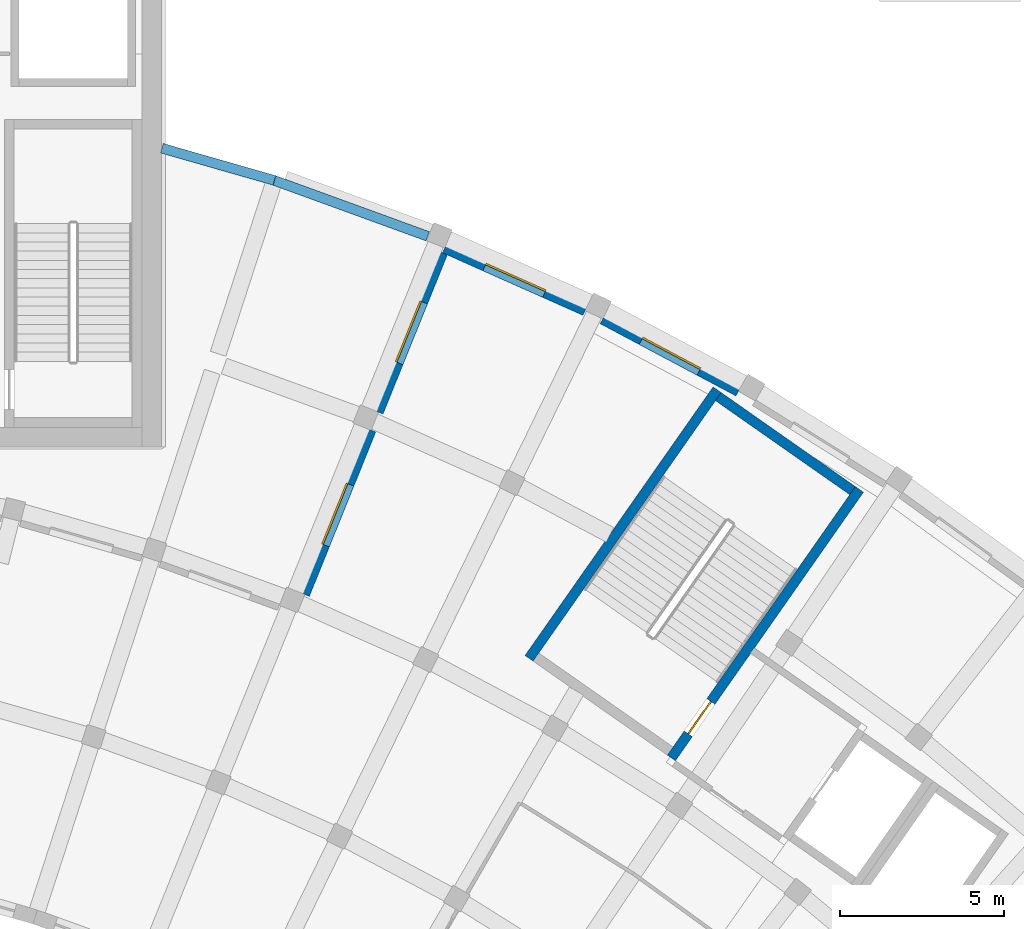
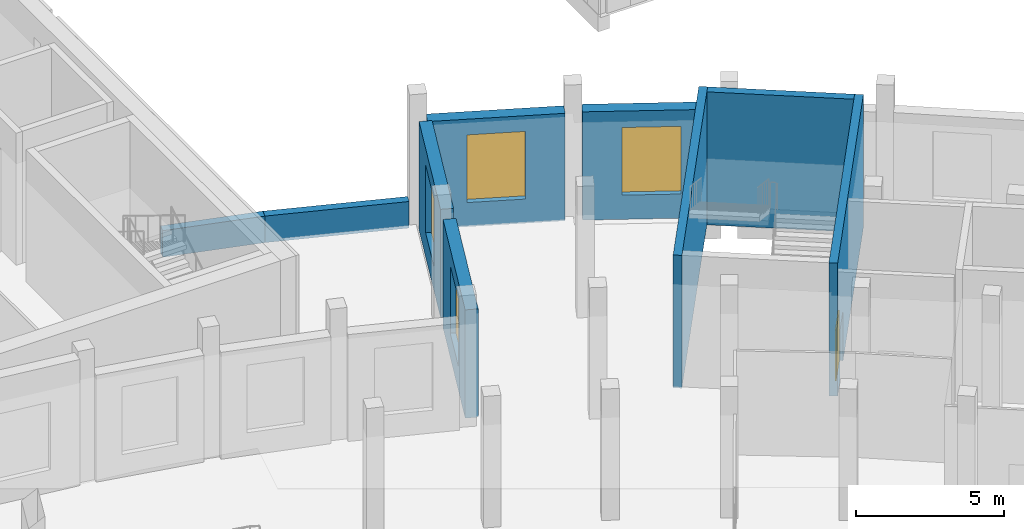
# One storey, part 72 of 132: 9 walls, 4 windows, 1 door, 5 openings.
"""IFC4 building model written with IfcOpenShell, lengths in metres."""

from ifc_helpers import new_model, si_unit, direction, frame, frame_2d, origin, place, context, subcontext, project, spatial, rectangle, extrude, material, layer, layer_set, type_object, element, fill, save


model = new_model("IFC4")

# Units and contexts
model_context = context("Model", 3, precision=1e-05, world=origin(), true_north=direction((0.0, 1.0)))
body_context = subcontext(model_context, "Body", "Model", "MODEL_VIEW")
ifc_project = project(units=[si_unit("LENGTHUNIT", "METRE"), si_unit("AREAUNIT", "SQUARE_METRE"), si_unit("VOLUMEUNIT", "CUBIC_METRE"), si_unit("PLANEANGLEUNIT", "RADIAN"), si_unit("MASSUNIT", "GRAM", prefix="KILO")], contexts=[model_context])

# Site, building, storey
site_placement = place(None, origin())
site = spatial("IfcSite", under=ifc_project, at=site_placement, CompositionType="ELEMENT")
building_placement = place(site_placement, origin())
building = spatial("IfcBuilding", under=site, at=building_placement, Name="Lunette Opera House", CompositionType="ELEMENT")
storey_placement = place(building_placement, frame((0.0, 0.0, 17.0)))
storey = spatial("IfcBuildingStorey", under=building, at=storey_placement, Name="L03", CompositionType="ELEMENT", Elevation=17.0)

# Wall, opening, window
ifc_material_1 = material(Name="Clinker brick", Category="masonry")
ifc_layer_1 = layer(ifc_material_1, 0.449951171875)
ifc_layer_set_1 = layer_set([ifc_layer_1], Name="Clinker brick")
wall_type_1 = type_object("IfcWallType", Name="ARM RAIN SCREEN WALL 450", PredefinedType="SOLIDWALL", material=ifc_layer_set_1)
wall_1_placement = place(storey_placement, frame((124.659912109375, 70.135009765625, 0.0), z_axis=(0.0, 0.0, 1.0), x_axis=(0.913581686159, -0.406655262741, 0.0)))
wall_1 = element("IfcWall", 1, at=wall_1_placement, inside=storey, type_object=wall_type_1, Name="Arm Rain Screen Wall 450 BW-CE02 L03", PredefinedType="SOLIDWALL", context=body_context, shape_type="SweptSolid", body=[
    extrude(rectangle(XDim=4.689453125, YDim=0.449951171875, at=frame_2d((2.3447265625, 0.0))), origin(), (0.0, 0.0, 1.0), 4.449951171875),
])
opening_1_placement = place(wall_1_placement, frame((1.344970703125, 0.0, 1.0)))
opening_1 = element("IfcOpeningElement", 2, at=opening_1_placement, cuts=wall_1, Name="Opening FC-N2148", PredefinedType="OPENING", context=body_context, shape_type="SweptSolid", body=[
    extrude(rectangle(XDim=2.0, YDim=2.800048828125, at=frame_2d((1.0, 1.39990234375))), frame((0.0, 0.237060546875, 0.0), z_axis=(0.0, -1.0, 0.0), x_axis=(1.0, 0.0, 0.0)), (0.0, 0.0, 1.0), 0.473876953125),
])
ifc_material_2 = material(Name="Aluminium", Category="aluminium")
window_type = type_object("IfcWindowType", Name="ARM WINDOW 2000 X 2800", PartitioningType="DOUBLE_PANEL_VERTICAL", PredefinedType="WINDOW", material=ifc_material_2)
window_1_placement = place(opening_1_placement, origin())
window_1 = element("IfcWindow", 3, at=window_1_placement, inside=storey, type_object=window_type, Name="Arm Window 2000 X 2800 BW-CE02 L03", OverallHeight=2.800048828125, OverallWidth=2.0, PartitioningType="DOUBLE_PANEL_VERTICAL", PredefinedType="WINDOW", context=body_context, shape_type="SweptSolid", body=[
    extrude(rectangle(XDim=2.0, YDim=2.800048828125, at=frame_2d((1.0, 1.39990234375))), frame((0.0, 0.030029296875, 0.0), z_axis=(0.0, -1.0, 0.0), x_axis=(1.0, 0.0, 0.0)), (0.0, 0.0, 1.0), 0.06005859375),
])
fill(opening_1, window_1)

wall_2_placement = place(storey_placement, frame((129.48291015625, 67.965087890625, 0.0), z_axis=(0.0, 0.0, 1.0), x_axis=(0.882963316504, -0.469441989716, 0.0)))
wall_2 = element("IfcWall", 4, at=wall_2_placement, inside=storey, type_object=wall_type_1, Name="Arm Rain Screen Wall 450 BW-CE03 L03", PredefinedType="SOLIDWALL", context=body_context, shape_type="SweptSolid", body=[
    extrude(rectangle(XDim=4.68896484375, YDim=0.449951171875, at=frame_2d((2.344482421875, 0.0))), origin(), (0.0, 0.0, 1.0), 4.47998046875),
])
opening_2_placement = place(wall_2_placement, frame((1.344970703125, 0.0, 1.0)))
opening_2 = element("IfcOpeningElement", 5, at=opening_2_placement, cuts=wall_2, Name="Opening FC-N2152", PredefinedType="OPENING", context=body_context, shape_type="SweptSolid", body=[
    extrude(rectangle(XDim=2.0, YDim=2.800048828125, at=frame_2d((1.0, 1.39990234375))), frame((0.0, 0.237060546875, 0.0), z_axis=(0.0, -1.0, 0.0), x_axis=(1.0, 0.0, 0.0)), (0.0, 0.0, 1.0), 0.473876953125),
])
window_2_placement = place(opening_2_placement, origin())
window_2 = element("IfcWindow", 6, at=window_2_placement, inside=storey, type_object=window_type, Name="Arm Window 2000 X 2800 BW-CE03 L03", OverallHeight=2.800048828125, OverallWidth=2.0, PartitioningType="DOUBLE_PANEL_VERTICAL", PredefinedType="WINDOW", context=body_context, shape_type="SweptSolid", body=[
    extrude(rectangle(XDim=2.0, YDim=2.800048828125, at=frame_2d((1.0, 1.39990234375))), frame((0.0, 0.030029296875, 0.0), z_axis=(0.0, -1.0, 0.0), x_axis=(1.0, 0.0, 0.0)), (0.0, 0.0, 1.0), 0.06005859375),
])
fill(opening_2, window_2)

ifc_material_3 = material(Name="Clinker brick", Category="masonry")
ifc_layer_2 = layer(ifc_material_3, 0.449951171875)
ifc_layer_set_2 = layer_set([ifc_layer_2], Name="Clinker brick")
wall_type_2 = type_object("IfcWallType", Name="ARM REAR WALL 450", PredefinedType="SOLIDWALL", material=ifc_layer_set_2)
wall_3_placement = place(storey_placement, frame((124.507080078125, 69.95703125, 0.0), z_axis=(0.0, 0.0, 1.0), x_axis=(-0.374688667466, -0.927150690272, 0.0)))
wall_3 = element("IfcWall", 7, at=wall_3_placement, inside=storey, type_object=wall_type_2, Name="Arm Rear Wall 450 F04 L03", PredefinedType="SOLIDWALL", context=body_context, shape_type="SweptSolid", body=[
    extrude(rectangle(XDim=5.241943359375, YDim=0.449951171875, at=frame_2d((2.62109375, 0.0))), origin(), (0.0, 0.0, 1.0), 4.47998046875),
])
opening_3_placement = place(wall_3_placement, frame((1.62109375, 0.0, 1.0)))
opening_3 = element("IfcOpeningElement", 8, at=opening_3_placement, cuts=wall_3, Name="Opening FC-N2180", PredefinedType="OPENING", context=body_context, shape_type="SweptSolid", body=[
    extrude(rectangle(XDim=2.0, YDim=2.800048828125, at=frame_2d((1.0, 1.39990234375))), frame((0.0, 0.237060546875, 0.0), z_axis=(0.0, -1.0, 0.0), x_axis=(1.0, 0.0, 0.0)), (0.0, 0.0, 1.0), 0.473876953125),
])
window_3_placement = place(opening_3_placement, origin())
window_3 = element("IfcWindow", 9, at=window_3_placement, inside=storey, type_object=window_type, Name="Arm Window 2000 X 2800 F04 L03", OverallHeight=2.800048828125, OverallWidth=2.0, PartitioningType="DOUBLE_PANEL_VERTICAL", PredefinedType="WINDOW", context=body_context, shape_type="SweptSolid", body=[
    extrude(rectangle(XDim=2.0, YDim=2.800048828125, at=frame_2d((1.0, 1.39990234375))), frame((0.0, 0.030029296875, 0.0), z_axis=(0.0, -1.0, 0.0), x_axis=(1.0, 0.0, 0.0)), (0.0, 0.0, 1.0), 0.06005859375),
])
fill(opening_3, window_3)

wall_4_placement = place(storey_placement, frame((122.320068359375, 64.544921875, 0.0), z_axis=(0.0, 0.0, 1.0), x_axis=(-0.374542969265, -0.927209557853, 0.0)))
wall_4 = element("IfcWall", 10, at=wall_4_placement, inside=storey, type_object=wall_type_2, Name="Arm Rear Wall 450 F05 L03", PredefinedType="SOLIDWALL", context=body_context, shape_type="SweptSolid", body=[
    extrude(rectangle(XDim=5.404296875, YDim=0.449951171875, at=frame_2d((2.7021484375, 0.0))), origin(), (0.0, 0.0, 1.0), 4.47998046875),
])
opening_4_placement = place(wall_4_placement, frame((1.779052734375, 0.0, 1.0)))
opening_4 = element("IfcOpeningElement", 11, at=opening_4_placement, cuts=wall_4, Name="Opening FC-N2181", PredefinedType="OPENING", context=body_context, shape_type="SweptSolid", body=[
    extrude(rectangle(XDim=2.0, YDim=2.800048828125, at=frame_2d((1.0, 1.39990234375))), frame((0.0, 0.237060546875, 0.0), z_axis=(0.0, -1.0, 0.0), x_axis=(1.0, 0.0, 0.0)), (0.0, 0.0, 1.0), 0.473876953125),
])
window_4_placement = place(opening_4_placement, origin())
window_4 = element("IfcWindow", 12, at=window_4_placement, inside=storey, type_object=window_type, Name="Arm Window 2000 X 2800 F05 L03", OverallHeight=2.800048828125, OverallWidth=2.0, PartitioningType="DOUBLE_PANEL_VERTICAL", PredefinedType="WINDOW", context=body_context, shape_type="SweptSolid", body=[
    extrude(rectangle(XDim=2.0, YDim=2.800048828125, at=frame_2d((1.0, 1.39990234375))), frame((0.0, 0.030029296875, 0.0), z_axis=(0.0, -1.0, 0.0), x_axis=(1.0, 0.0, 0.0)), (0.0, 0.0, 1.0), 0.06005859375),
])
fill(opening_4, window_4)

# Wall, opening, door
ifc_material_4 = material(Name="Concrete C35/45", Category="concrete")
ifc_layer_3 = layer(ifc_material_4, 0.300048828125)
ifc_layer_set_3 = layer_set([ifc_layer_3], Name="Concrete C35/45")
wall_type_3 = type_object("IfcWallType", Name="RC STAIR ENCLOSURE WALL 300", PredefinedType="SOLIDWALL", material=ifc_layer_set_3)
wall_5_placement = place(storey_placement, frame((131.550048828125, 54.51904296875, 0.0), z_axis=(0.0, 0.0, 1.0), x_axis=(0.573563925118, 0.819160804606, 0.0)))
wall_5 = element("IfcWall", 13, at=wall_5_placement, inside=storey, type_object=wall_type_3, Name="ST3 enclosure wall 2", PredefinedType="SOLIDWALL", context=body_context, shape_type="SweptSolid", body=[
    extrude(rectangle(XDim=10.000244140625, YDim=0.300048828125, at=frame_2d((5.0, 0.0))), origin(), (0.0, 0.0, 1.0), 5.5),
])
opening_5_placement = place(wall_5_placement, frame((0.89990234375, 0.0, 0.0)))
opening_5 = element("IfcOpeningElement", 14, at=opening_5_placement, cuts=wall_5, Name="Opening FC-D7023", PredefinedType="OPENING", context=body_context, shape_type="SweptSolid", body=[
    extrude(rectangle(XDim=1.199951171875, YDim=2.10009765625, at=frame_2d((0.60009765625, 1.050048828125))), frame((0.0, 0.162109375, 0.0), z_axis=(0.0, -1.0, 0.0), x_axis=(1.0, 0.0, 0.0)), (0.0, 0.0, 1.0), 0.323974609375),
])
ifc_material_5 = material(Name="Steel", Category="steel")
door_type = type_object("IfcDoorType", Name="FIRE DOOR 1200 X 2100", OperationType="SINGLE_SWING_LEFT", PredefinedType="DOOR", material=ifc_material_5)
door_placement = place(opening_5_placement, origin())
door = element("IfcDoor", 15, at=door_placement, inside=storey, type_object=door_type, Name="ST3 stair door", OperationType="SINGLE_SWING_LEFT", OverallHeight=2.10009765625, OverallWidth=1.199951171875, PredefinedType="DOOR", context=body_context, shape_type="SweptSolid", body=[
    extrude(rectangle(XDim=1.199951171875, YDim=2.10009765625, at=frame_2d((0.60009765625, 1.050048828125))), frame((0.0, 0.02490234375, 0.0), z_axis=(0.0, -1.0, 0.0), x_axis=(1.0, 0.0, 0.0)), (0.0, 0.0, 1.0), 0.050048828125),
])
fill(opening_5, door)

# Walls
wall_6_placement = place(storey_placement, frame((137.076904296875, 62.674072265625, 0.0), z_axis=(0.0, 0.0, 1.0), x_axis=(-0.819160804606, 0.573563925118, 0.0)))
element("IfcWall", 16, at=wall_6_placement, inside=storey, type_object=wall_type_3, Name="ST3 enclosure wall 3", PredefinedType="SOLIDWALL", context=body_context, shape_type="SweptSolid", body=[
    extrude(rectangle(XDim=5.000244140625, YDim=0.300048828125, at=frame_2d((2.5, 0.0))), origin(), (0.0, 0.0, 1.0), 5.5),
])
wall_7_placement = place(storey_placement, frame((132.944091796875, 65.7509765625, 0.0), z_axis=(0.0, 0.0, 1.0), x_axis=(-0.573514776444, -0.819195215563, 0.0)))
element("IfcWall", 17, at=wall_7_placement, inside=storey, type_object=wall_type_3, Name="ST3 enclosure wall 4", PredefinedType="SOLIDWALL", context=body_context, shape_type="SweptSolid", body=[
    extrude(rectangle(XDim=10.0, YDim=0.300048828125, at=frame_2d((5.0, 0.0))), origin(), (0.0, 0.0, 1.0), 5.5),
])
ifc_material_6 = material(Name="Clinker brick", Category="masonry")
ifc_layer_4 = layer(ifc_material_6, 0.300048828125)
ifc_layer_set_4 = layer_set([ifc_layer_4], Name="Clinker brick")
wall_type_4 = type_object("IfcWallType", Name="ROOF PARAPET WALL 300", PredefinedType="PARAPET", material=ifc_layer_set_4)
wall_8_placement = place(storey_placement, frame((124.113037109375, 70.43603515625, 0.0), z_axis=(0.0, 0.0, 1.0), x_axis=(-0.939711709528, 0.341967692885, 0.0)))
element("IfcWall", 18, at=wall_8_placement, inside=storey, type_object=wall_type_4, Name="Roof Parapet Wall 300 PA-L02-03 L03", PredefinedType="PARAPET", context=body_context, shape_type="SweptSolid", body=[
    extrude(rectangle(XDim=4.973876953125, YDim=0.300048828125, at=frame_2d((2.48681640625, 0.0))), origin(), (0.0, 0.0, 1.0), 1.10009765625),
])
wall_9_placement = place(storey_placement, frame((119.43896484375, 72.136962890625, 0.0), z_axis=(0.0, 0.0, 1.0), x_axis=(-0.961206014053, 0.275831467655, 0.0)))
element("IfcWall", 19, at=wall_9_placement, inside=storey, type_object=wall_type_4, Name="Roof Parapet Wall 300 PA-L02-04 L03", PredefinedType="PARAPET", context=body_context, shape_type="SweptSolid", body=[
    extrude(rectangle(XDim=3.5712890625, YDim=0.300048828125, at=frame_2d((1.78564453125, 0.0))), origin(), (0.0, 0.0, 1.0), 1.10009765625),
])

save(model, "model.ifc")
